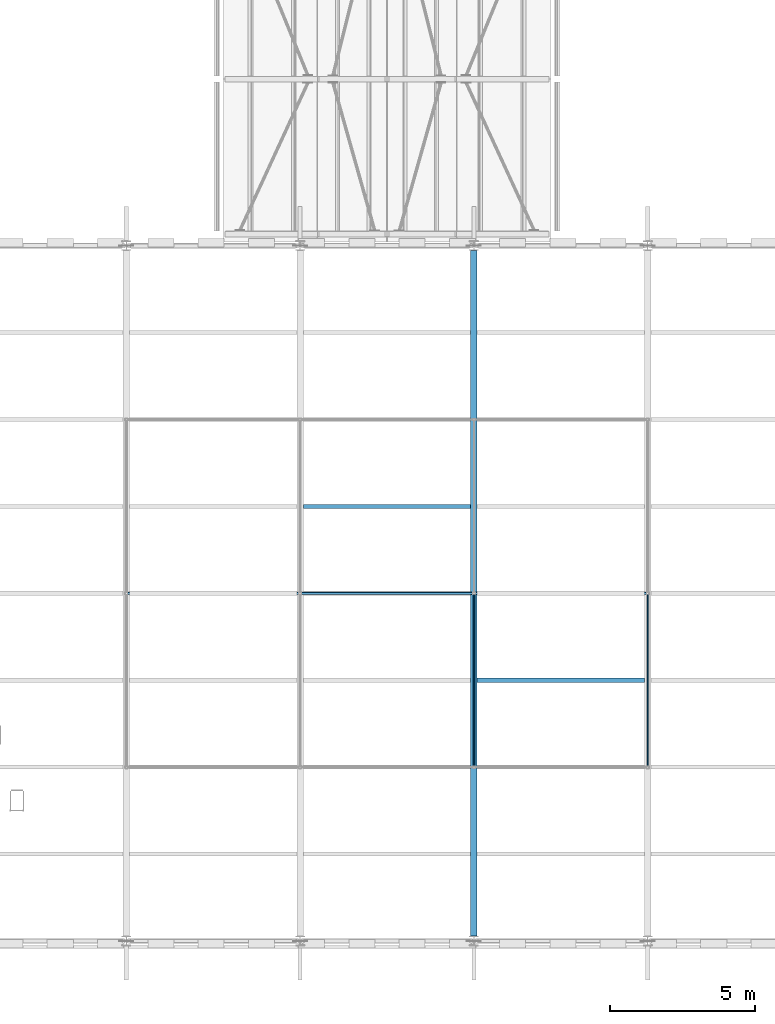
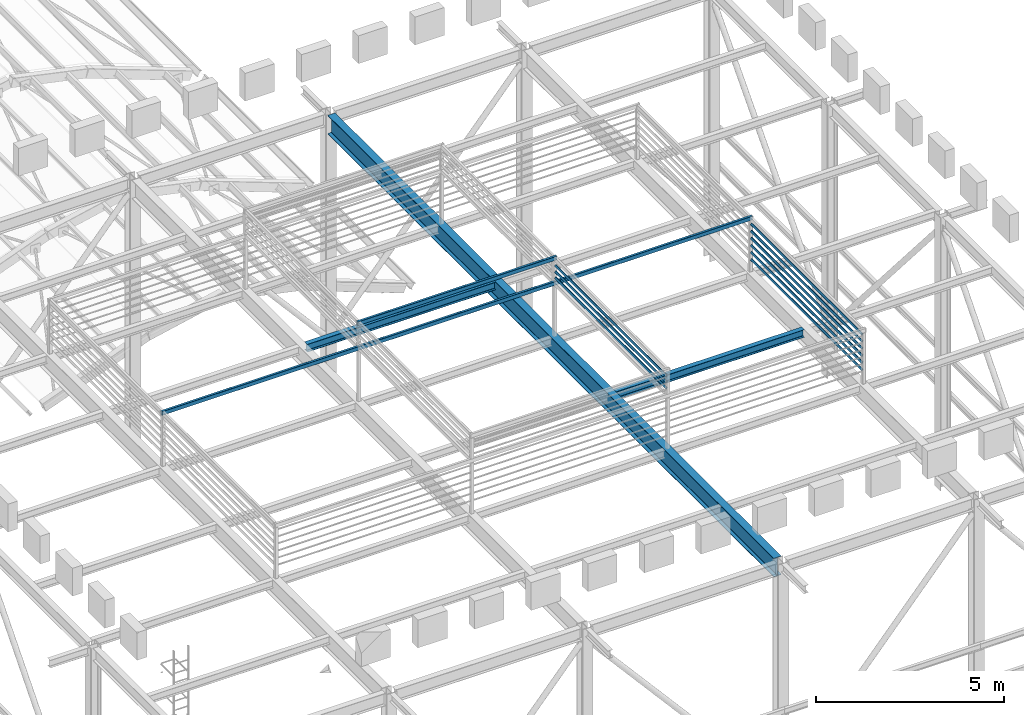
# One storey, part 11 of 57: 9 members, 5 beams.
"""IFC4 building model written with IfcOpenShell, lengths in metres."""

from ifc_helpers import new_model, si_unit, direction, frame, origin, origin_2d, place, context, subcontext, project, spatial, hollow_rectangle, i_section, extrude, material, material_profile, profile_set, type_object, element, save


model = new_model("IFC4")

# Units and contexts
model_context = context("Model", 3, precision=1e-05, world=origin(), true_north=direction((0.0, 1.0)))
body_context = subcontext(model_context, "Body", "Model", "MODEL_VIEW")
ifc_project = project(units=[si_unit("LENGTHUNIT", "METRE"), si_unit("AREAUNIT", "SQUARE_METRE"), si_unit("VOLUMEUNIT", "CUBIC_METRE"), si_unit("PLANEANGLEUNIT", "RADIAN"), si_unit("MASSUNIT", "GRAM", prefix="KILO")], contexts=[model_context])

# Site, building, storey
site_placement = place(None, origin())
site = spatial("IfcSite", under=ifc_project, at=site_placement, CompositionType="ELEMENT")
building_placement = place(site_placement, origin())
building = spatial("IfcBuilding", under=site, at=building_placement, Name="Saffron Lane Theatres", CompositionType="ELEMENT")
storey_placement = place(building_placement, frame((0.0, 0.0, 28.0)))
storey = spatial("IfcBuildingStorey", under=building, at=storey_placement, Name="Upper Roof", CompositionType="ELEMENT", Elevation=28.0)

# Beams
ifc_material_1 = material(Name="Steel Grade 350", Category="steel")
ifc_material_profile_1 = material_profile(ifc_material_1, hollow_rectangle(XDim=0.074951171875, YDim=0.125, WallThickness=0.0048828125, InnerFilletRadius=0.00244140625, OuterFilletRadius=0.007568359375, at=origin_2d()))
ifc_profile_set_1 = profile_set([ifc_material_profile_1], Name="Steel Grade 350")
beam_type_1 = type_object("IfcBeamType", Name="ST-LANTERN RING 125x75x5 RHS", PredefinedType="BEAM", material=ifc_profile_set_1)
beam_1_placement = place(storey_placement, frame((23.949951171875, 42.25, 10.5625), z_axis=(1.0, 0.0, 0.0), x_axis=(0.0, 1.0, 0.0)))
element("IfcBeam", 1, at=beam_1_placement, inside=storey, type_object=beam_type_1, Name="LR2", PredefinedType="BEAM", context=body_context, shape_type="SweptSolid", body=[
    extrude(hollow_rectangle(XDim=0.074951171875, YDim=0.125, WallThickness=0.0048828125, InnerFilletRadius=0.00244140625, OuterFilletRadius=0.007568359375, at=origin_2d()), origin(), (0.0, 0.0, 1.0), 18.10009765625),
])
beam_2_placement = place(storey_placement, frame((29.949951171875, 42.25, 11.367431640625), z_axis=(1.0, 0.0, 0.0), x_axis=(0.0, 1.0, 0.0)))
element("IfcBeam", 2, at=beam_2_placement, inside=storey, type_object=beam_type_1, Name="LR9", PredefinedType="BEAM", context=body_context, shape_type="SweptSolid", body=[
    extrude(hollow_rectangle(XDim=0.074951171875, YDim=0.125, WallThickness=0.0048828125, InnerFilletRadius=0.00244140625, OuterFilletRadius=0.007568359375, at=origin_2d()), origin(), (0.0, 0.0, 1.0), 6.10009765625),
])

# Members
ifc_material_2 = material(Name="Steel Grade 350", Category="steel")
ifc_material_profile_2 = material_profile(ifc_material_2, hollow_rectangle(XDim=0.034912109375, YDim=0.06494140625, WallThickness=0.0029296875, InnerFilletRadius=0.00146484375, OuterFilletRadius=0.00439453125, at=origin_2d()))
ifc_profile_set_2 = profile_set([ifc_material_profile_2], Name="Steel Grade 350")
member_type = type_object("IfcMemberType", Name="ST-LOUVRE SLAT 65x35x3 RHS", PredefinedType="MEMBER", material=ifc_profile_set_2)
for number, where, z_axis, x_axis, name in (
    (3, (42.0, 36.300048828125, 9.25), (0.0, 1.0, 0.0), (-0.819152044289, 0.0, 0.573576436351), "LV9"),
    (4, (42.0, 36.300048828125, 9.47998046875), (0.0, 1.0, 0.0), (-0.819152044289, 0.0, 0.573576436351), "LV19"),
    (5, (42.0, 36.300048828125, 9.7099609375), (0.0, 1.0, 0.0), (-0.819152044289, 0.0, 0.573576436351), "LV29"),
    (6, (42.0, 36.300048828125, 9.93994140625), (0.0, 1.0, 0.0), (-0.819152044289, 0.0, 0.573576436351), "LV39"),
    (7, (42.0, 36.300048828125, 10.169921875), (0.0, 1.0, 0.0), (-0.819152044289, 0.0, 0.573576436351), "LV49"),
    (8, (42.0, 36.300048828125, 10.39990234375), (0.0, 1.0, 0.0), (-0.819152044289, 0.0, 0.573576436351), "LV59"),
    (9, (36.0, 36.300048828125, 10.7548828125), (0.0, 1.0, 0.0), (-0.819152044289, 0.0, 0.573576436351), "LV65"),
    (10, (36.0, 36.300048828125, 10.955078125), (0.0, 1.0, 0.0), (-0.819152044289, 0.0, 0.573576436351), "LV71"),
    (11, (36.0, 36.300048828125, 11.155029296875), (0.0, 1.0, 0.0), (-0.819152044289, 0.0, 0.573576436351), "LV77"),
):
    element("IfcMember", number, at=place(storey_placement, frame(where, z_axis=z_axis, x_axis=x_axis)), inside=storey, type_object=member_type, Name=name, PredefinedType="MEMBER", context=body_context, shape_type="SweptSolid", body=[
        extrude(hollow_rectangle(XDim=0.034912109375, YDim=0.06494140625, WallThickness=0.0029296875, InnerFilletRadius=0.00146484375, OuterFilletRadius=0.00439453125, at=origin_2d()), origin(), (0.0, 0.0, 1.0), 5.89990234375),
    ])

# Beams
ifc_material_3 = material(Name="Steel Grade 350", Category="steel")
ifc_material_profile_3 = material_profile(ifc_material_3, i_section(OverallWidth=0.14599609375, OverallDepth=0.251953125, WebThickness=0.006103515625, FlangeThickness=0.008544921875, FilletRadius=0.011962890625, at=origin_2d()))
ifc_profile_set_3 = profile_set([ifc_material_profile_3], Name="Steel Grade 350")
beam_type_2 = type_object("IfcBeamType", Name="ST-ROOF JOIST 250UB31.4", PredefinedType="JOIST", material=ifc_profile_set_3)
for number, where, z_axis, x_axis, name in (
    (12, (36.114013671875, 39.25, 8.72412109375), (1.0, 0.0, 0.0), (0.0, 1.0, 0.0), "TT14"),
    (13, (30.114013671875, 45.25, 8.72412109375), (1.0, 0.0, 0.0), (0.0, 1.0, 0.0), "TT23"),
):
    element("IfcBeam", number, at=place(storey_placement, frame(where, z_axis=z_axis, x_axis=x_axis)), inside=storey, type_object=beam_type_2, Name=name, PredefinedType="JOIST", context=body_context, shape_type="SweptSolid", body=[
        extrude(i_section(OverallWidth=0.14599609375, OverallDepth=0.251953125, WebThickness=0.006103515625, FlangeThickness=0.008544921875, FilletRadius=0.011962890625, at=origin_2d()), origin(), (0.0, 0.0, 1.0), 5.77197265625),
    ])
ifc_material_4 = material(Name="Steel Grade 350", Category="steel")
ifc_material_profile_4 = material_profile(ifc_material_4, i_section(OverallWidth=0.22802734375, OverallDepth=0.60693359375, WebThickness=0.01123046875, FlangeThickness=0.017333984375, FilletRadius=0.013916015625, at=origin_2d()))
ifc_profile_set_4 = profile_set([ifc_material_profile_4], Name="Steel Grade 350")
beam_type_3 = type_object("IfcBeamType", Name="ST-ROOF PRIMARY 610UB113", PredefinedType="BEAM", material=ifc_profile_set_4)
beam_3_placement = place(storey_placement, frame((36.0, 30.41357421875, 8.54638671875), z_axis=(0.0, 1.0, 0.0), x_axis=(-1.0, 0.0, 0.0)))
element("IfcBeam", 14, at=beam_3_placement, inside=storey, type_object=beam_type_3, Name="TS3", PredefinedType="BEAM", context=body_context, shape_type="SweptSolid", body=[
    extrude(i_section(OverallWidth=0.22802734375, OverallDepth=0.60693359375, WebThickness=0.01123046875, FlangeThickness=0.017333984375, FilletRadius=0.013916015625, at=origin_2d()), origin(), (0.0, 0.0, 1.0), 23.6728515625),
])

save(model, "model.ifc")
